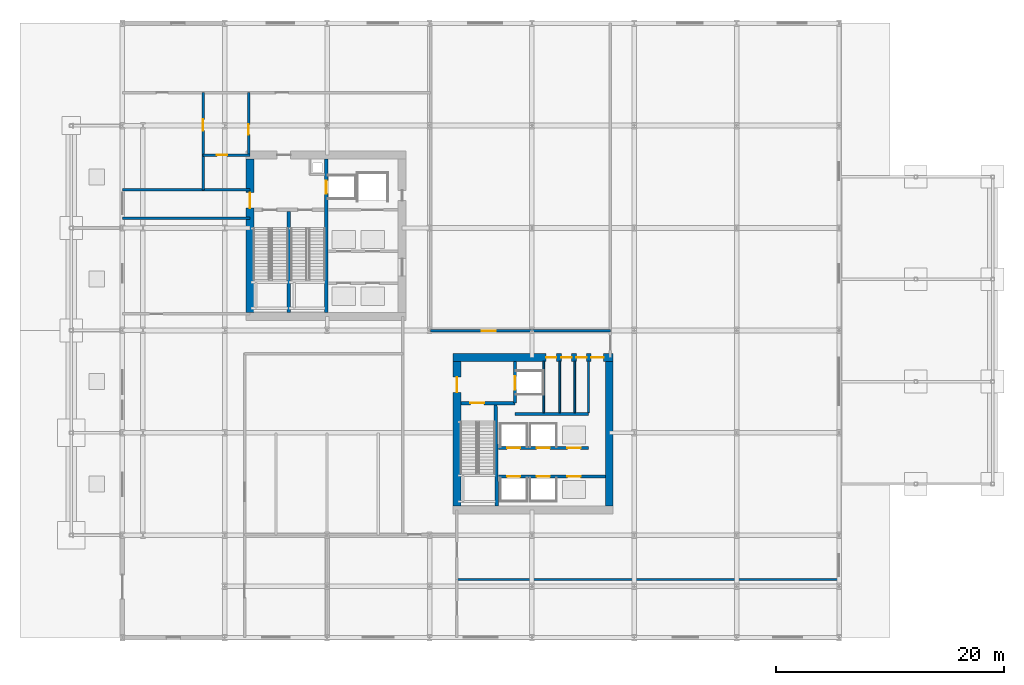
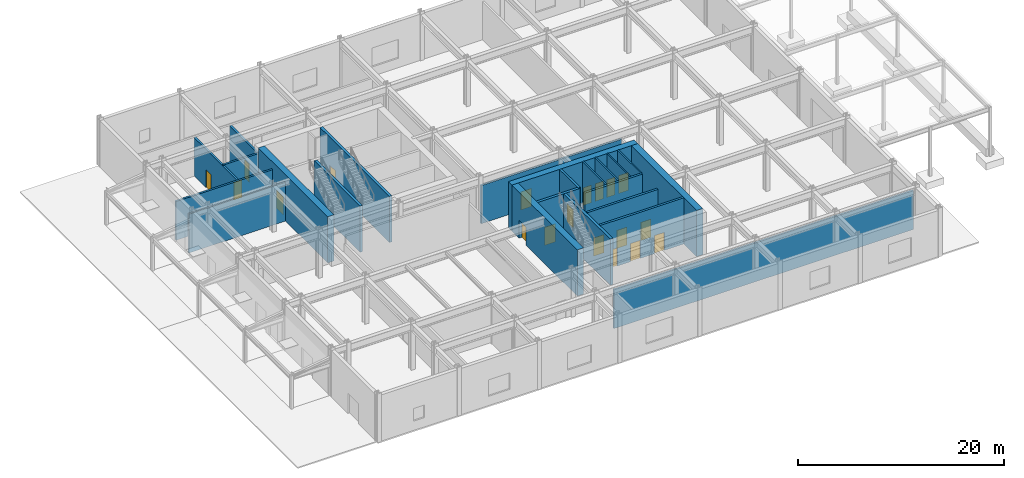
# One storey, part 11 of 19: 23 walls, 19 doors, 19 openings.
"""IFC4 building model written with IfcOpenShell, lengths in metres."""

from ifc_helpers import new_model, si_unit, direction, frame, frame_2d, origin, place, context, subcontext, project, spatial, rectangle, extrude, material, layer, layer_set, type_object, element, fill, save


model = new_model("IFC4")

# Units and contexts
model_context = context("Model", 3, precision=1e-05, world=origin(), true_north=direction((0.0, 1.0)))
body_context = subcontext(model_context, "Body", "Model", "MODEL_VIEW")
ifc_project = project(units=[si_unit("LENGTHUNIT", "METRE"), si_unit("AREAUNIT", "SQUARE_METRE"), si_unit("VOLUMEUNIT", "CUBIC_METRE"), si_unit("PLANEANGLEUNIT", "RADIAN"), si_unit("MASSUNIT", "GRAM", prefix="KILO")], contexts=[model_context])

# Site, building, storey
site_placement = place(None, origin())
site = spatial("IfcSite", under=ifc_project, at=site_placement, CompositionType="ELEMENT")
building_placement = place(site_placement, origin())
building = spatial("IfcBuilding", under=site, at=building_placement, Name="Solvaryn Broadcast Tower", CompositionType="ELEMENT")
storey_placement = place(building_placement, origin())
storey = spatial("IfcBuildingStorey", under=building, at=storey_placement, Name="L00", CompositionType="ELEMENT", Elevation=0.0)

# Wall, opening, door
ifc_material_1 = material(Name="Concrete f'c 70 MPa", Category="concrete")
ifc_layer_1 = layer(ifc_material_1, 0.699951171875)
ifc_layer_set_1 = layer_set([ifc_layer_1], Name="CW-SHEAR-700")
wall_type_1 = type_object("IfcWallType", Name="CW-SHEAR-700", PredefinedType="SHEAR", material=ifc_layer_set_1)
wall_1_placement = place(storey_placement, frame((11.199951171875, 42.050048828125, 0.0), z_axis=(0.0, 0.0, 1.0), x_axis=(0.0, -1.0, 0.0)))
wall_1 = element("IfcWall", 1, at=wall_1_placement, inside=storey, type_object=wall_type_1, Name="L00 West Core West Shear Wall", PredefinedType="SHEAR", context=body_context, shape_type="SweptSolid", body=[
    extrude(rectangle(XDim=13.5, YDim=0.699951171875, at=frame_2d((6.75, 0.0))), origin(), (0.0, 0.0, 1.0), 5.47998046875),
])
opening_1_placement = place(wall_1_placement, frame((2.949951171875, 0.0, 0.0)))
opening_1 = element("IfcOpeningElement", 2, at=opening_1_placement, cuts=wall_1, Name="Opening FD90B", PredefinedType="OPENING", context=body_context, shape_type="SweptSolid", body=[
    extrude(rectangle(XDim=1.35009765625, YDim=2.14990234375, at=frame_2d((0.675048828125, 1.074951171875))), frame((0.0, 0.360107421875, 0.0), z_axis=(0.0, -1.0, 0.0), x_axis=(1.0, 0.0, 0.0)), (0.0, 0.0, 1.0), 0.719970703125),
])
ifc_material_2 = material(Name="Flush Acoustic Steel and Timber Door Assembly", Category="steel")
door_type_1 = type_object("IfcDoorType", Name="FD90-LOBBY-1350X2150", OperationType="NOTDEFINED", PredefinedType="DOOR", material=ifc_material_2)
door_1_placement = place(opening_1_placement, origin())
door_1 = element("IfcDoor", 3, at=door_1_placement, inside=storey, type_object=door_type_1, Name="L00 Stair 1-2 Exit Passageway Door", OperationType="SINGLE_SWING_LEFT", OverallHeight=2.14990234375, OverallWidth=1.35009765625, PredefinedType="DOOR", context=body_context, shape_type="SweptSolid", body=[
    extrude(rectangle(XDim=1.35009765625, YDim=2.14990234375, at=frame_2d((0.675048828125, 1.074951171875))), frame((0.0, 0.02490234375, 0.0), z_axis=(0.0, -1.0, 0.0), x_axis=(1.0, 0.0, 0.0)), (0.0, 0.0, 1.0), 0.050048828125),
])
fill(opening_1, door_1)

# Wall, openings, doors
wall_2_placement = place(storey_placement, frame((43.14990234375, 24.60009765625, 0.0), z_axis=(0.0, 0.0, 1.0), x_axis=(-1.0, 0.0, 0.0)))
wall_2 = element("IfcWall", 4, at=wall_2_placement, inside=storey, type_object=wall_type_1, Name="L00 East Core North Shear Wall", PredefinedType="SHEAR", context=body_context, shape_type="SweptSolid", body=[
    extrude(rectangle(XDim=14.099853515625, YDim=0.699951171875, at=frame_2d((7.0498046875, 0.0))), origin(), (0.0, 0.0, 1.0), 5.47998046875),
])
opening_2_placement = place(wall_2_placement, frame((0.85009765625, 0.0, 0.0)))
opening_2 = element("IfcOpeningElement", 5, at=opening_2_placement, cuts=wall_2, Name="Opening FD90C", PredefinedType="OPENING", context=body_context, shape_type="SweptSolid", body=[
    extrude(rectangle(XDim=1.10009765625, YDim=2.14990234375, at=frame_2d((0.550048828125, 1.074951171875))), frame((0.0, 0.360107421875, 0.0), z_axis=(0.0, -1.0, 0.0), x_axis=(1.0, 0.0, 0.0)), (0.0, 0.0, 1.0), 0.719970703125),
])
opening_3_placement = place(wall_2_placement, frame((2.35009765625, 0.0, 0.0)))
opening_3 = element("IfcOpeningElement", 6, at=opening_3_placement, cuts=wall_2, Name="Opening FD60C", PredefinedType="OPENING", context=body_context, shape_type="SweptSolid", body=[
    extrude(rectangle(XDim=0.89990234375, YDim=2.10009765625, at=frame_2d((0.449951171875, 1.050048828125))), frame((0.0, 0.360107421875, 0.0), z_axis=(0.0, -1.0, 0.0), x_axis=(1.0, 0.0, 0.0)), (0.0, 0.0, 1.0), 0.719970703125),
])
opening_4_placement = place(wall_2_placement, frame((3.64990234375, 0.0, 0.0)))
opening_4 = element("IfcOpeningElement", 7, at=opening_4_placement, cuts=wall_2, Name="Opening FD60C", PredefinedType="OPENING", context=body_context, shape_type="SweptSolid", body=[
    extrude(rectangle(XDim=0.89990234375, YDim=2.10009765625, at=frame_2d((0.449951171875, 1.050048828125))), frame((0.0, 0.360107421875, 0.0), z_axis=(0.0, -1.0, 0.0), x_axis=(1.0, 0.0, 0.0)), (0.0, 0.0, 1.0), 0.719970703125),
])
opening_5_placement = place(wall_2_placement, frame((5.0, 0.0, 0.0)))
opening_5 = element("IfcOpeningElement", 8, at=opening_5_placement, cuts=wall_2, Name="Opening FD60C", PredefinedType="OPENING", context=body_context, shape_type="SweptSolid", body=[
    extrude(rectangle(XDim=0.89990234375, YDim=2.10009765625, at=frame_2d((0.449951171875, 1.050048828125))), frame((0.0, 0.360107421875, 0.0), z_axis=(0.0, -1.0, 0.0), x_axis=(1.0, 0.0, 0.0)), (0.0, 0.0, 1.0), 0.719970703125),
])
ifc_material_3 = material(Name="Flush Acoustic Steel and Timber Door Assembly", Category="steel")
door_type_2 = type_object("IfcDoorType", Name="FD60-SERV-900X2100", OperationType="NOTDEFINED", PredefinedType="DOOR", material=ifc_material_3)
door_2_placement = place(opening_3_placement, origin())
door_2 = element("IfcDoor", 9, at=door_2_placement, inside=storey, type_object=door_type_2, Name="L00 Core Wellness Room Door", OperationType="SINGLE_SWING_RIGHT", OverallHeight=2.10009765625, OverallWidth=0.89990234375, PredefinedType="DOOR", context=body_context, shape_type="SweptSolid", body=[
    extrude(rectangle(XDim=0.89990234375, YDim=2.10009765625, at=frame_2d((0.449951171875, 1.050048828125))), frame((0.0, 0.02490234375, 0.0), z_axis=(0.0, -1.0, 0.0), x_axis=(1.0, 0.0, 0.0)), (0.0, 0.0, 1.0), 0.050048828125),
])
fill(opening_3, door_2)
door_3_placement = place(opening_4_placement, origin())
door_3 = element("IfcDoor", 10, at=door_3_placement, inside=storey, type_object=door_type_2, Name="L00 Staff Restroom Door", OperationType="SINGLE_SWING_LEFT", OverallHeight=2.10009765625, OverallWidth=0.89990234375, PredefinedType="DOOR", context=body_context, shape_type="SweptSolid", body=[
    extrude(rectangle(XDim=0.89990234375, YDim=2.10009765625, at=frame_2d((0.449951171875, 1.050048828125))), frame((0.0, 0.02490234375, 0.0), z_axis=(0.0, -1.0, 0.0), x_axis=(1.0, 0.0, 0.0)), (0.0, 0.0, 1.0), 0.050048828125),
])
fill(opening_4, door_3)
door_4_placement = place(opening_5_placement, origin())
door_4 = element("IfcDoor", 11, at=door_4_placement, inside=storey, type_object=door_type_2, Name="L00 Accessible WC Door", OperationType="SINGLE_SWING_RIGHT", OverallHeight=2.10009765625, OverallWidth=0.89990234375, PredefinedType="DOOR", context=body_context, shape_type="SweptSolid", body=[
    extrude(rectangle(XDim=0.89990234375, YDim=2.10009765625, at=frame_2d((0.449951171875, 1.050048828125))), frame((0.0, 0.02490234375, 0.0), z_axis=(0.0, -1.0, 0.0), x_axis=(1.0, 0.0, 0.0)), (0.0, 0.0, 1.0), 0.050048828125),
])
fill(opening_5, door_4)
ifc_material_4 = material(Name="Flush Acoustic Steel and Timber Door Assembly", Category="steel")
door_type_3 = type_object("IfcDoorType", Name="FD90-PLANT-1100X2150", OperationType="NOTDEFINED", PredefinedType="DOOR", material=ifc_material_4)
door_5_placement = place(opening_2_placement, origin())
door_5 = element("IfcDoor", 12, at=door_5_placement, inside=storey, type_object=door_type_3, Name="L00 East Core Lobby Corridor Door", OperationType="SINGLE_SWING_LEFT", OverallHeight=2.14990234375, OverallWidth=1.10009765625, PredefinedType="DOOR", context=body_context, shape_type="SweptSolid", body=[
    extrude(rectangle(XDim=1.10009765625, YDim=2.14990234375, at=frame_2d((0.550048828125, 1.074951171875))), frame((0.0, 0.02490234375, 0.0), z_axis=(0.0, -1.0, 0.0), x_axis=(1.0, 0.0, 0.0)), (0.0, 0.0, 1.0), 0.050048828125),
])
fill(opening_2, door_5)

# Wall, opening, door
wall_3_placement = place(storey_placement, frame((29.39990234375, 24.25, 0.0), z_axis=(0.0, 0.0, 1.0), x_axis=(0.0, -1.0, 0.0)))
wall_3 = element("IfcWall", 13, at=wall_3_placement, inside=storey, type_object=wall_type_1, Name="L00 East Core West Shear Wall", PredefinedType="SHEAR", context=body_context, shape_type="SweptSolid", body=[
    extrude(rectangle(XDim=12.699951171875, YDim=0.699951171875, at=frame_2d((6.35009765625, 0.0))), origin(), (0.0, 0.0, 1.0), 5.47998046875),
])
opening_6_placement = place(wall_3_placement, frame((1.35009765625, 0.0, 0.0)))
opening_6 = element("IfcOpeningElement", 14, at=opening_6_placement, cuts=wall_3, Name="Opening FD90B", PredefinedType="OPENING", context=body_context, shape_type="SweptSolid", body=[
    extrude(rectangle(XDim=1.35009765625, YDim=2.14990234375, at=frame_2d((0.675048828125, 1.074951171875))), frame((0.0, 0.360107421875, 0.0), z_axis=(0.0, -1.0, 0.0), x_axis=(1.0, 0.0, 0.0)), (0.0, 0.0, 1.0), 0.719970703125),
])
door_6_placement = place(opening_6_placement, origin())
door_6 = element("IfcDoor", 15, at=door_6_placement, inside=storey, type_object=door_type_1, Name="L00 East FSAE Lobby Door", OperationType="SINGLE_SWING_RIGHT", OverallHeight=2.14990234375, OverallWidth=1.35009765625, PredefinedType="DOOR", context=body_context, shape_type="SweptSolid", body=[
    extrude(rectangle(XDim=1.35009765625, YDim=2.14990234375, at=frame_2d((0.675048828125, 1.074951171875))), frame((0.0, 0.02490234375, 0.0), z_axis=(0.0, -1.0, 0.0), x_axis=(1.0, 0.0, 0.0)), (0.0, 0.0, 1.0), 0.050048828125),
])
fill(opening_6, door_6)

# Walls
wall_4_placement = place(storey_placement, frame((42.800048828125, 11.550048828125, 0.0), z_axis=(0.0, 0.0, 1.0), x_axis=(0.0, 1.0, 0.0)))
element("IfcWall", 16, at=wall_4_placement, inside=storey, type_object=wall_type_1, Name="L00 East Core East Shear Wall", PredefinedType="SHEAR", context=body_context, shape_type="SweptSolid", body=[
    extrude(rectangle(XDim=12.699951171875, YDim=0.699951171875, at=frame_2d((6.35009765625, 0.0))), origin(), (0.0, 0.0, 1.0), 5.47998046875),
])
ifc_material_5 = material(Name="Double-Stud Acoustic Studio Partition")
ifc_layer_2 = layer(ifc_material_5, 0.219970703125)
ifc_layer_set_2 = layer_set([ifc_layer_2], Name="IW-ACOUSTIC-220")
wall_type_2 = type_object("IfcWallType", Name="IW-ACOUSTIC-220", PredefinedType="PARTITIONING", material=ifc_layer_set_2)
wall_5_placement = place(storey_placement, frame((0.0, 39.35009765625, 0.0), z_axis=(0.0, 0.0, 1.0), x_axis=(1.0, 0.0, 0.0)))
element("IfcWall", 17, at=wall_5_placement, inside=storey, type_object=wall_type_2, Name="L00 Interior Partition IW-L00-NW1", PredefinedType="PARTITIONING", context=body_context, shape_type="SweptSolid", body=[
    extrude(rectangle(XDim=11.199951171875, YDim=0.219970703125, at=frame_2d((5.60009765625, 0.0))), origin(), (0.0, 0.0, 1.0), 4.60498046875),
])

# Wall, opening, door
wall_6_placement = place(storey_placement, frame((7.10009765625, 39.35009765625, 0.0), z_axis=(0.0, 0.0, 1.0), x_axis=(0.0, 1.0, 0.0)))
wall_6 = element("IfcWall", 18, at=wall_6_placement, inside=storey, type_object=wall_type_2, Name="L00 Interior Partition IW-L00-NW2", PredefinedType="PARTITIONING", context=body_context, shape_type="SweptSolid", body=[
    extrude(rectangle(XDim=8.5498046875, YDim=0.219970703125, at=frame_2d((4.27490234375, 0.0))), origin(), (0.0, 0.0, 1.0), 4.532958984375),
])
opening_7_placement = place(wall_6_placement, frame((5.199951171875, 0.0, 0.0)))
opening_7 = element("IfcOpeningElement", 19, at=opening_7_placement, cuts=wall_6, Name="Opening FD90D", PredefinedType="OPENING", context=body_context, shape_type="SweptSolid", body=[
    extrude(rectangle(XDim=1.0, YDim=2.14990234375, at=frame_2d((0.5, 1.074951171875))), frame((0.0, 0.119873046875, 0.0), z_axis=(0.0, -1.0, 0.0), x_axis=(1.0, 0.0, 0.0)), (0.0, 0.0, 1.0), 0.239990234375),
])
ifc_material_6 = material(Name="Flush Acoustic Steel and Timber Door Assembly", Category="steel")
door_type_4 = type_object("IfcDoorType", Name="FD90-FCC-1000X2150", OperationType="NOTDEFINED", PredefinedType="DOOR", material=ifc_material_6)
door_7_placement = place(opening_7_placement, origin())
door_7 = element("IfcDoor", 20, at=door_7_placement, inside=storey, type_object=door_type_4, Name="L00 Door DR-L00-SEC", OperationType="SINGLE_SWING_RIGHT", OverallHeight=2.14990234375, OverallWidth=1.0, PredefinedType="DOOR", context=body_context, shape_type="SweptSolid", body=[
    extrude(rectangle(XDim=1.0, YDim=2.14990234375, at=frame_2d((0.5, 1.074951171875))), frame((0.0, 0.02490234375, 0.0), z_axis=(0.0, -1.0, 0.0), x_axis=(1.0, 0.0, 0.0)), (0.0, 0.0, 1.0), 0.050048828125),
])
fill(opening_7, door_7)

wall_7_placement = place(storey_placement, frame((7.10009765625, 42.39990234375, 0.0), z_axis=(0.0, 0.0, 1.0), x_axis=(1.0, 0.0, 0.0)))
wall_7 = element("IfcWall", 21, at=wall_7_placement, inside=storey, type_object=wall_type_2, Name="L00 Interior Partition IW-L00-NW3", PredefinedType="PARTITIONING", context=body_context, shape_type="SweptSolid", body=[
    extrude(rectangle(XDim=4.099853515625, YDim=0.219970703125, at=frame_2d((2.0498046875, 0.0))), origin(), (0.0, 0.0, 1.0), 4.60498046875),
])
opening_8_placement = place(wall_7_placement, frame((1.199951171875, 0.0, 0.0)))
opening_8 = element("IfcOpeningElement", 22, at=opening_8_placement, cuts=wall_7, Name="Opening FD60C", PredefinedType="OPENING", context=body_context, shape_type="SweptSolid", body=[
    extrude(rectangle(XDim=0.89990234375, YDim=2.10009765625, at=frame_2d((0.449951171875, 1.050048828125))), frame((0.0, 0.119873046875, 0.0), z_axis=(0.0, -1.0, 0.0), x_axis=(1.0, 0.0, 0.0)), (0.0, 0.0, 1.0), 0.239990234375),
])
door_8_placement = place(opening_8_placement, origin())
door_8 = element("IfcDoor", 23, at=door_8_placement, inside=storey, type_object=door_type_2, Name="L00 Door DR-L00-AWC", OperationType="SINGLE_SWING_LEFT", OverallHeight=2.10009765625, OverallWidth=0.89990234375, PredefinedType="DOOR", context=body_context, shape_type="SweptSolid", body=[
    extrude(rectangle(XDim=0.89990234375, YDim=2.10009765625, at=frame_2d((0.449951171875, 1.050048828125))), frame((0.0, 0.02490234375, 0.0), z_axis=(0.0, -1.0, 0.0), x_axis=(1.0, 0.0, 0.0)), (0.0, 0.0, 1.0), 0.050048828125),
])
fill(opening_8, door_8)

wall_8_placement = place(storey_placement, frame((11.10009765625, 42.39990234375, 0.0), z_axis=(0.0, 0.0, 1.0), x_axis=(0.0, 1.0, 0.0)))
wall_8 = element("IfcWall", 24, at=wall_8_placement, inside=storey, type_object=wall_type_2, Name="L00 Interior Partition IW-L00-NW4", PredefinedType="PARTITIONING", context=body_context, shape_type="SweptSolid", body=[
    extrude(rectangle(XDim=5.5, YDim=0.219970703125, at=frame_2d((2.75, 0.0))), origin(), (0.0, 0.0, 1.0), 4.532958984375),
])
opening_9_placement = place(wall_8_placement, frame((1.800048828125, 0.0, 0.0)))
opening_9 = element("IfcOpeningElement", 25, at=opening_9_placement, cuts=wall_8, Name="Opening FD60C", PredefinedType="OPENING", context=body_context, shape_type="SweptSolid", body=[
    extrude(rectangle(XDim=0.89990234375, YDim=2.10009765625, at=frame_2d((0.449951171875, 1.050048828125))), frame((0.0, 0.119873046875, 0.0), z_axis=(0.0, -1.0, 0.0), x_axis=(1.0, 0.0, 0.0)), (0.0, 0.0, 1.0), 0.239990234375),
])
door_9_placement = place(opening_9_placement, origin())
door_9 = element("IfcDoor", 26, at=door_9_placement, inside=storey, type_object=door_type_2, Name="L00 Door DR-L00-PWC", OperationType="SINGLE_SWING_RIGHT", OverallHeight=2.10009765625, OverallWidth=0.89990234375, PredefinedType="DOOR", context=body_context, shape_type="SweptSolid", body=[
    extrude(rectangle(XDim=0.89990234375, YDim=2.10009765625, at=frame_2d((0.449951171875, 1.050048828125))), frame((0.0, 0.02490234375, 0.0), z_axis=(0.0, -1.0, 0.0), x_axis=(1.0, 0.0, 0.0)), (0.0, 0.0, 1.0), 0.050048828125),
])
fill(opening_9, door_9)

wall_9_placement = place(storey_placement, frame((27.10009765625, 26.949951171875, 0.0), z_axis=(0.0, 0.0, 1.0), x_axis=(1.0, 0.0, 0.0)))
wall_9 = element("IfcWall", 27, at=wall_9_placement, inside=storey, type_object=wall_type_2, Name="L00 Interior Partition IW-L00-W9", PredefinedType="PARTITIONING", context=body_context, shape_type="SweptSolid", body=[
    extrude(rectangle(XDim=15.7998046875, YDim=0.219970703125, at=frame_2d((7.89990234375, 0.0))), origin(), (0.0, 0.0, 1.0), 4.532958984375),
])
opening_10_placement = place(wall_9_placement, frame((4.5, 0.0, 0.0)))
opening_10 = element("IfcOpeningElement", 28, at=opening_10_placement, cuts=wall_9, Name="Opening FD90A", PredefinedType="OPENING", context=body_context, shape_type="SweptSolid", body=[
    extrude(rectangle(XDim=1.199951171875, YDim=2.14990234375, at=frame_2d((0.60009765625, 1.074951171875))), frame((0.0, 0.119873046875, 0.0), z_axis=(0.0, -1.0, 0.0), x_axis=(1.0, 0.0, 0.0)), (0.0, 0.0, 1.0), 0.239990234375),
])
ifc_material_7 = material(Name="Flush Acoustic Steel and Timber Door Assembly", Category="steel")
door_type_5 = type_object("IfcDoorType", Name="FD90-STAIR-1200X2150", OperationType="NOTDEFINED", PredefinedType="DOOR", material=ifc_material_7)
door_10_placement = place(opening_10_placement, origin())
door_10 = element("IfcDoor", 29, at=door_10_placement, inside=storey, type_object=door_type_5, Name="L00 Door DR-L00-GAL", OperationType="DOUBLE_DOOR_SINGLE_SWING", OverallHeight=2.14990234375, OverallWidth=1.199951171875, PredefinedType="DOOR", context=body_context, shape_type="SweptSolid", body=[
    extrude(rectangle(XDim=1.199951171875, YDim=2.14990234375, at=frame_2d((0.60009765625, 1.074951171875))), frame((0.0, 0.02490234375, 0.0), z_axis=(0.0, -1.0, 0.0), x_axis=(1.0, 0.0, 0.0)), (0.0, 0.0, 1.0), 0.050048828125),
])
fill(opening_10, door_10)

# Walls
ifc_material_8 = material(Name="Metal-Stud Service Core Partition")
ifc_layer_3 = layer(ifc_material_8, 0.14990234375)
ifc_layer_set_3 = layer_set([ifc_layer_3], Name="IW-PART-150")
wall_type_3 = type_object("IfcWallType", Name="IW-PART-150", PredefinedType="PARTITIONING", material=ifc_layer_set_3)
for number, where, z_axis, x_axis, name in (
    (30, (37.050048828125, 19.780029296875, 0.0), (0.0, 0.0, 1.0), (0.0, 1.0, 0.0), "L00 Interior Partition IW-L00-CE-FL2E"),
    (31, (38.43994140625, 19.780029296875, 0.0), (0.0, 0.0, 1.0), (0.0, 1.0, 0.0), "L00 Interior Partition IW-L00-CE-V1"),
    (32, (39.77001953125, 19.780029296875, 0.0), (0.0, 0.0, 1.0), (0.0, 1.0, 0.0), "L00 Interior Partition IW-L00-CE-V2"),
    (33, (40.97998046875, 19.780029296875, 0.0), (0.0, 0.0, 1.0), (0.0, 1.0, 0.0), "L00 Interior Partition IW-L00-CE-V3"),
):
    element("IfcWall", number, at=place(storey_placement, frame(where, z_axis=z_axis, x_axis=x_axis)), inside=storey, type_object=wall_type_3, Name=name, PredefinedType="PARTITIONING", context=body_context, shape_type="SweptSolid", body=[
        extrude(rectangle(XDim=4.52001953125, YDim=0.14990234375, at=frame_2d((2.260009765625, 0.0))), origin(), (0.0, 0.0, 1.0), 5.47998046875),
    ])
ifc_material_9 = material(Name="Gypsum Fire-Rated Shaftwall Assembly", Category="concrete")
ifc_layer_4 = layer(ifc_material_9, 0.199951171875)
ifc_layer_set_4 = layer_set([ifc_layer_4], Name="IW-RATED-200")
wall_type_4 = type_object("IfcWallType", Name="IW-RATED-200", PredefinedType="PARTITIONING", material=ifc_layer_set_4)
wall_10_placement = place(storey_placement, frame((0.0, 36.85009765625, 0.0), z_axis=(0.0, 0.0, 1.0), x_axis=(1.0, 0.0, 0.0)))
element("IfcWall", 34, at=wall_10_placement, inside=storey, type_object=wall_type_4, Name="L00 Interior Partition IW-L00-EP2-N", PredefinedType="PARTITIONING", context=body_context, shape_type="SweptSolid", body=[
    extrude(rectangle(XDim=11.199951171875, YDim=0.199951171875, at=frame_2d((5.60009765625, 0.0))), origin(), (0.0, 0.0, 1.0), 4.60498046875),
])
wall_11_placement = place(storey_placement, frame((29.39990234375, 5.10009765625, 0.0), z_axis=(0.0, 0.0, 1.0), x_axis=(1.0, 0.0, 0.0)))
element("IfcWall", 35, at=wall_11_placement, inside=storey, type_object=wall_type_4, Name="L00 Interior Partition IW-L00-EP3-S", PredefinedType="PARTITIONING", context=body_context, shape_type="SweptSolid", body=[
    extrude(rectangle(XDim=33.60009765625, YDim=0.199951171875, at=frame_2d((16.800048828125, 0.0))), origin(), (0.0, 0.0, 1.0), 4.60498046875),
])

# Wall, opening, door
ifc_material_10 = material(Name="Concrete f'c 60 MPa", Category="concrete")
ifc_layer_5 = layer(ifc_material_10, 0.25)
ifc_layer_set_5 = layer_set([ifc_layer_5], Name="SW-SHAFT-250")
wall_type_5 = type_object("IfcWallType", Name="SW-SHAFT-250", PredefinedType="PARTITIONING", material=ifc_layer_set_5)
wall_12_placement = place(storey_placement, frame((34.5, 20.60009765625, 0.0), z_axis=(0.0, 0.0, 1.0), x_axis=(0.0, 1.0, 0.0)))
wall_12 = element("IfcWall", 36, at=wall_12_placement, inside=storey, type_object=wall_type_5, Name="L00 East FSAE Lobby East Wall", PredefinedType="PARTITIONING", context=body_context, shape_type="SweptSolid", body=[
    extrude(rectangle(XDim=3.64990234375, YDim=0.25, at=frame_2d((1.824951171875, 0.0))), origin(), (0.0, 0.0, 1.0), 5.47998046875),
])
opening_11_placement = place(wall_12_placement, frame((1.199951171875, 0.0, 0.0)))
opening_11 = element("IfcOpeningElement", 37, at=opening_11_placement, cuts=wall_12, Name="Opening LD01", PredefinedType="OPENING", context=body_context, shape_type="SweptSolid", body=[
    extrude(rectangle(XDim=1.14990234375, YDim=2.14990234375, at=frame_2d((0.574951171875, 1.074951171875))), frame((0.0, 0.135009765625, 0.0), z_axis=(0.0, -1.0, 0.0), x_axis=(1.0, 0.0, 0.0)), (0.0, 0.0, 1.0), 0.27001953125),
])
ifc_material_11 = material(Name="Flush Acoustic Steel and Timber Door Assembly", Category="steel")
door_type_6 = type_object("IfcDoorType", Name="LD-LIFT-1150X2150", OperationType="NOTDEFINED", PredefinedType="DOOR", material=ifc_material_11)
door_11_placement = place(opening_11_placement, origin())
door_11 = element("IfcDoor", 38, at=door_11_placement, inside=storey, type_object=door_type_6, Name="L00 FL2 Lift Landing Door", OperationType="DOUBLE_DOOR_SLIDING", OverallHeight=2.14990234375, OverallWidth=1.14990234375, PredefinedType="DOOR", context=body_context, shape_type="SweptSolid", body=[
    extrude(rectangle(XDim=1.14990234375, YDim=2.14990234375, at=frame_2d((0.574951171875, 1.074951171875))), frame((0.0, 0.02490234375, 0.0), z_axis=(0.0, -1.0, 0.0), x_axis=(1.0, 0.0, 0.0)), (0.0, 0.0, 1.0), 0.050048828125),
])
fill(opening_11, door_11)

# Wall
wall_13_placement = place(storey_placement, frame((34.5, 19.64990234375, 0.0), z_axis=(0.0, 0.0, 1.0), x_axis=(1.0, 0.0, 0.0)))
element("IfcWall", 39, at=wall_13_placement, inside=storey, type_object=wall_type_5, Name="L00 East Core Restroom South Wall", PredefinedType="PARTITIONING", context=body_context, shape_type="SweptSolid", body=[
    extrude(rectangle(XDim=6.47998046875, YDim=0.25, at=frame_2d((3.239990234375, 0.0))), origin(), (0.0, 0.0, 1.0), 5.47998046875),
])

# Wall, openings, doors
wall_14_placement = place(storey_placement, frame((33.070068359375, 14.14990234375, 0.0), z_axis=(0.0, 0.0, 1.0), x_axis=(1.0, 0.0, 0.0)))
wall_14 = element("IfcWall", 40, at=wall_14_placement, inside=storey, type_object=wall_type_5, Name="L00 East Lift Bank South Wall", PredefinedType="PARTITIONING", context=body_context, shape_type="SweptSolid", body=[
    extrude(rectangle(XDim=9.3798828125, YDim=0.25, at=frame_2d((4.68994140625, 0.0))), origin(), (0.0, 0.0, 1.0), 5.47998046875),
])
opening_12_placement = place(wall_14_placement, frame((0.7548828125, 0.0, 0.0)))
opening_12 = element("IfcOpeningElement", 41, at=opening_12_placement, cuts=wall_14, Name="Opening LD01", PredefinedType="OPENING", context=body_context, shape_type="SweptSolid", body=[
    extrude(rectangle(XDim=1.14990234375, YDim=2.14990234375, at=frame_2d((0.574951171875, 1.074951171875))), frame((0.0, 0.135009765625, 0.0), z_axis=(0.0, -1.0, 0.0), x_axis=(1.0, 0.0, 0.0)), (0.0, 0.0, 1.0), 0.27001953125),
])
opening_13_placement = place(wall_14_placement, frame((3.35498046875, 0.0, 0.0)))
opening_13 = element("IfcOpeningElement", 42, at=opening_13_placement, cuts=wall_14, Name="Opening LD01", PredefinedType="OPENING", context=body_context, shape_type="SweptSolid", body=[
    extrude(rectangle(XDim=1.14990234375, YDim=2.14990234375, at=frame_2d((0.574951171875, 1.074951171875))), frame((0.0, 0.135009765625, 0.0), z_axis=(0.0, -1.0, 0.0), x_axis=(1.0, 0.0, 0.0)), (0.0, 0.0, 1.0), 0.27001953125),
])
opening_14_placement = place(wall_14_placement, frame((6.054931640625, 0.0, 0.0)))
opening_14 = element("IfcOpeningElement", 43, at=opening_14_placement, cuts=wall_14, Name="Opening LD01", PredefinedType="OPENING", context=body_context, shape_type="SweptSolid", body=[
    extrude(rectangle(XDim=1.14990234375, YDim=2.14990234375, at=frame_2d((0.574951171875, 1.074951171875))), frame((0.0, 0.135009765625, 0.0), z_axis=(0.0, -1.0, 0.0), x_axis=(1.0, 0.0, 0.0)), (0.0, 0.0, 1.0), 0.27001953125),
])
door_12_placement = place(opening_12_placement, origin())
door_12 = element("IfcDoor", 44, at=door_12_placement, inside=storey, type_object=door_type_6, Name="L00 PL1 Lift Landing Door", OperationType="DOUBLE_DOOR_SLIDING", OverallHeight=2.14990234375, OverallWidth=1.14990234375, PredefinedType="DOOR", context=body_context, shape_type="SweptSolid", body=[
    extrude(rectangle(XDim=1.14990234375, YDim=2.14990234375, at=frame_2d((0.574951171875, 1.074951171875))), frame((0.0, 0.02490234375, 0.0), z_axis=(0.0, -1.0, 0.0), x_axis=(1.0, 0.0, 0.0)), (0.0, 0.0, 1.0), 0.050048828125),
])
fill(opening_12, door_12)
door_13_placement = place(opening_13_placement, origin())
door_13 = element("IfcDoor", 45, at=door_13_placement, inside=storey, type_object=door_type_6, Name="L00 PL2 Lift Landing Door", OperationType="DOUBLE_DOOR_SLIDING", OverallHeight=2.14990234375, OverallWidth=1.14990234375, PredefinedType="DOOR", context=body_context, shape_type="SweptSolid", body=[
    extrude(rectangle(XDim=1.14990234375, YDim=2.14990234375, at=frame_2d((0.574951171875, 1.074951171875))), frame((0.0, 0.02490234375, 0.0), z_axis=(0.0, -1.0, 0.0), x_axis=(1.0, 0.0, 0.0)), (0.0, 0.0, 1.0), 0.050048828125),
])
fill(opening_13, door_13)
door_14_placement = place(opening_14_placement, origin())
door_14 = element("IfcDoor", 46, at=door_14_placement, inside=storey, type_object=door_type_6, Name="L00 PM1 Lift Landing Door", OperationType="DOUBLE_DOOR_SLIDING", OverallHeight=2.14990234375, OverallWidth=1.14990234375, PredefinedType="DOOR", context=body_context, shape_type="SweptSolid", body=[
    extrude(rectangle(XDim=1.14990234375, YDim=2.14990234375, at=frame_2d((0.574951171875, 1.074951171875))), frame((0.0, 0.02490234375, 0.0), z_axis=(0.0, -1.0, 0.0), x_axis=(1.0, 0.0, 0.0)), (0.0, 0.0, 1.0), 0.050048828125),
])
fill(opening_14, door_14)

wall_15_placement = place(storey_placement, frame((40.97998046875, 16.64990234375, 0.0), z_axis=(0.0, 0.0, 1.0), x_axis=(-1.0, 0.0, 0.0)))
wall_15 = element("IfcWall", 47, at=wall_15_placement, inside=storey, type_object=wall_type_5, Name="L00 East Lift Bank North Wall", PredefinedType="PARTITIONING", context=body_context, shape_type="SweptSolid", body=[
    extrude(rectangle(XDim=7.909912109375, YDim=0.25, at=frame_2d((3.955078125, 0.0))), origin(), (0.0, 0.0, 1.0), 5.47998046875),
])
opening_15_placement = place(wall_15_placement, frame((6.0048828125, 0.0, 0.0)))
opening_15 = element("IfcOpeningElement", 48, at=opening_15_placement, cuts=wall_15, Name="Opening LD01", PredefinedType="OPENING", context=body_context, shape_type="SweptSolid", body=[
    extrude(rectangle(XDim=1.14990234375, YDim=2.14990234375, at=frame_2d((0.574951171875, 1.074951171875))), frame((0.0, 0.135009765625, 0.0), z_axis=(0.0, -1.0, 0.0), x_axis=(1.0, 0.0, 0.0)), (0.0, 0.0, 1.0), 0.27001953125),
])
opening_16_placement = place(wall_15_placement, frame((3.405029296875, 0.0, 0.0)))
opening_16 = element("IfcOpeningElement", 49, at=opening_16_placement, cuts=wall_15, Name="Opening LD01", PredefinedType="OPENING", context=body_context, shape_type="SweptSolid", body=[
    extrude(rectangle(XDim=1.14990234375, YDim=2.14990234375, at=frame_2d((0.574951171875, 1.074951171875))), frame((0.0, 0.135009765625, 0.0), z_axis=(0.0, -1.0, 0.0), x_axis=(1.0, 0.0, 0.0)), (0.0, 0.0, 1.0), 0.27001953125),
])
opening_17_placement = place(wall_15_placement, frame((0.705078125, 0.0, 0.0)))
opening_17 = element("IfcOpeningElement", 50, at=opening_17_placement, cuts=wall_15, Name="Opening LD01", PredefinedType="OPENING", context=body_context, shape_type="SweptSolid", body=[
    extrude(rectangle(XDim=1.14990234375, YDim=2.14990234375, at=frame_2d((0.574951171875, 1.074951171875))), frame((0.0, 0.135009765625, 0.0), z_axis=(0.0, -1.0, 0.0), x_axis=(1.0, 0.0, 0.0)), (0.0, 0.0, 1.0), 0.27001953125),
])
door_15_placement = place(opening_15_placement, origin())
door_15 = element("IfcDoor", 51, at=door_15_placement, inside=storey, type_object=door_type_6, Name="L00 PL3 Lift Landing Door", OperationType="DOUBLE_DOOR_SLIDING", OverallHeight=2.14990234375, OverallWidth=1.14990234375, PredefinedType="DOOR", context=body_context, shape_type="SweptSolid", body=[
    extrude(rectangle(XDim=1.14990234375, YDim=2.14990234375, at=frame_2d((0.574951171875, 1.074951171875))), frame((0.0, 0.02490234375, 0.0), z_axis=(0.0, -1.0, 0.0), x_axis=(1.0, 0.0, 0.0)), (0.0, 0.0, 1.0), 0.050048828125),
])
fill(opening_15, door_15)
door_16_placement = place(opening_16_placement, origin())
door_16 = element("IfcDoor", 52, at=door_16_placement, inside=storey, type_object=door_type_6, Name="L00 PL4 Lift Landing Door", OperationType="DOUBLE_DOOR_SLIDING", OverallHeight=2.14990234375, OverallWidth=1.14990234375, PredefinedType="DOOR", context=body_context, shape_type="SweptSolid", body=[
    extrude(rectangle(XDim=1.14990234375, YDim=2.14990234375, at=frame_2d((0.574951171875, 1.074951171875))), frame((0.0, 0.02490234375, 0.0), z_axis=(0.0, -1.0, 0.0), x_axis=(1.0, 0.0, 0.0)), (0.0, 0.0, 1.0), 0.050048828125),
])
fill(opening_16, door_16)
door_17_placement = place(opening_17_placement, origin())
door_17 = element("IfcDoor", 53, at=door_17_placement, inside=storey, type_object=door_type_6, Name="L00 PM2 Lift Landing Door", OperationType="DOUBLE_DOOR_SLIDING", OverallHeight=2.14990234375, OverallWidth=1.14990234375, PredefinedType="DOOR", context=body_context, shape_type="SweptSolid", body=[
    extrude(rectangle(XDim=1.14990234375, YDim=2.14990234375, at=frame_2d((0.574951171875, 1.074951171875))), frame((0.0, 0.02490234375, 0.0), z_axis=(0.0, -1.0, 0.0), x_axis=(1.0, 0.0, 0.0)), (0.0, 0.0, 1.0), 0.050048828125),
])
fill(opening_17, door_17)

# Wall
ifc_material_12 = material(Name="Concrete f'c 70 MPa", Category="concrete")
ifc_layer_6 = layer(ifc_material_12, 0.300048828125)
ifc_layer_set_6 = layer_set([ifc_layer_6], Name="SW-SHAFT-300")
wall_type_6 = type_object("IfcWallType", Name="SW-SHAFT-300", PredefinedType="SHEAR", material=ifc_layer_set_6)
wall_16_placement = place(storey_placement, frame((14.6201171875, 28.550048828125, 0.0), z_axis=(0.0, 0.0, 1.0), x_axis=(0.0, 1.0, 0.0)))
element("IfcWall", 54, at=wall_16_placement, inside=storey, type_object=wall_type_6, Name="L00 Stair 1-2 Dividing Wall", PredefinedType="SHEAR", context=body_context, shape_type="SweptSolid", body=[
    extrude(rectangle(XDim=8.89990234375, YDim=0.300048828125, at=frame_2d((4.449951171875, 0.0))), origin(), (0.0, 0.0, 1.0), 5.47998046875),
])

# Wall, opening, door
wall_17_placement = place(storey_placement, frame((17.919921875, 42.050048828125, 0.0), z_axis=(0.0, 0.0, 1.0), x_axis=(0.0, -1.0, 0.0)))
wall_17 = element("IfcWall", 55, at=wall_17_placement, inside=storey, type_object=wall_type_6, Name="L00 West Core Stair-Lobby Shear Wall", PredefinedType="SHEAR", context=body_context, shape_type="SweptSolid", body=[
    extrude(rectangle(XDim=13.5, YDim=0.300048828125, at=frame_2d((6.75, 0.0))), origin(), (0.0, 0.0, 1.0), 5.47998046875),
])
opening_18_placement = place(wall_17_placement, frame((1.875, 0.0, 0.0)))
opening_18 = element("IfcOpeningElement", 56, at=opening_18_placement, cuts=wall_17, Name="Opening LD01", PredefinedType="OPENING", context=body_context, shape_type="SweptSolid", body=[
    extrude(rectangle(XDim=1.14990234375, YDim=2.14990234375, at=frame_2d((0.574951171875, 1.074951171875))), frame((0.0, 0.159912109375, 0.0), z_axis=(0.0, -1.0, 0.0), x_axis=(1.0, 0.0, 0.0)), (0.0, 0.0, 1.0), 0.320068359375),
])
door_18_placement = place(opening_18_placement, origin())
door_18 = element("IfcDoor", 57, at=door_18_placement, inside=storey, type_object=door_type_6, Name="L00 FL1 Lift Landing Door", OperationType="DOUBLE_DOOR_SLIDING", OverallHeight=2.14990234375, OverallWidth=1.14990234375, PredefinedType="DOOR", context=body_context, shape_type="SweptSolid", body=[
    extrude(rectangle(XDim=1.14990234375, YDim=2.14990234375, at=frame_2d((0.574951171875, 1.074951171875))), frame((0.0, 0.02490234375, 0.0), z_axis=(0.0, -1.0, 0.0), x_axis=(1.0, 0.0, 0.0)), (0.0, 0.0, 1.0), 0.050048828125),
])
fill(opening_18, door_18)

# Wall
wall_18_placement = place(storey_placement, frame((32.919921875, 11.550048828125, 0.0), z_axis=(0.0, 0.0, 1.0), x_axis=(-0.01331804616, 0.99991131089, 0.0)))
element("IfcWall", 58, at=wall_18_placement, inside=storey, type_object=wall_type_6, Name="L00 Stair 3 East Shear Wall", PredefinedType="SHEAR", context=body_context, shape_type="SweptSolid", body=[
    extrude(rectangle(XDim=9.000732421875, YDim=0.300048828125, at=frame_2d((4.50048828125, 0.0))), origin(), (0.0, 0.0, 1.0), 5.47998046875),
])

# Wall, opening, door
wall_19_placement = place(storey_placement, frame((34.5, 20.60009765625, 0.0), z_axis=(0.0, 0.0, 1.0), x_axis=(-1.0, 0.0, 0.0)))
wall_19 = element("IfcWall", 59, at=wall_19_placement, inside=storey, type_object=wall_type_6, Name="L00 East FSAE Lobby South Wall", PredefinedType="SHEAR", context=body_context, shape_type="SweptSolid", body=[
    extrude(rectangle(XDim=4.75, YDim=0.300048828125, at=frame_2d((2.375, 0.0))), origin(), (0.0, 0.0, 1.0), 5.47998046875),
])
opening_19_placement = place(wall_19_placement, frame((2.699951171875, 0.0, 0.0)))
opening_19 = element("IfcOpeningElement", 60, at=opening_19_placement, cuts=wall_19, Name="Opening FD90A", PredefinedType="OPENING", context=body_context, shape_type="SweptSolid", body=[
    extrude(rectangle(XDim=1.199951171875, YDim=2.14990234375, at=frame_2d((0.60009765625, 1.074951171875))), frame((0.0, 0.159912109375, 0.0), z_axis=(0.0, -1.0, 0.0), x_axis=(1.0, 0.0, 0.0)), (0.0, 0.0, 1.0), 0.320068359375),
])
door_19_placement = place(opening_19_placement, origin())
door_19 = element("IfcDoor", 61, at=door_19_placement, inside=storey, type_object=door_type_5, Name="L00 Stair 3 Fire Door", OperationType="SINGLE_SWING_LEFT", OverallHeight=2.14990234375, OverallWidth=1.199951171875, PredefinedType="DOOR", context=body_context, shape_type="SweptSolid", body=[
    extrude(rectangle(XDim=1.199951171875, YDim=2.14990234375, at=frame_2d((0.60009765625, 1.074951171875))), frame((0.0, 0.02490234375, 0.0), z_axis=(0.0, -1.0, 0.0), x_axis=(1.0, 0.0, 0.0)), (0.0, 0.0, 1.0), 0.050048828125),
])
fill(opening_19, door_19)

save(model, "model.ifc")
